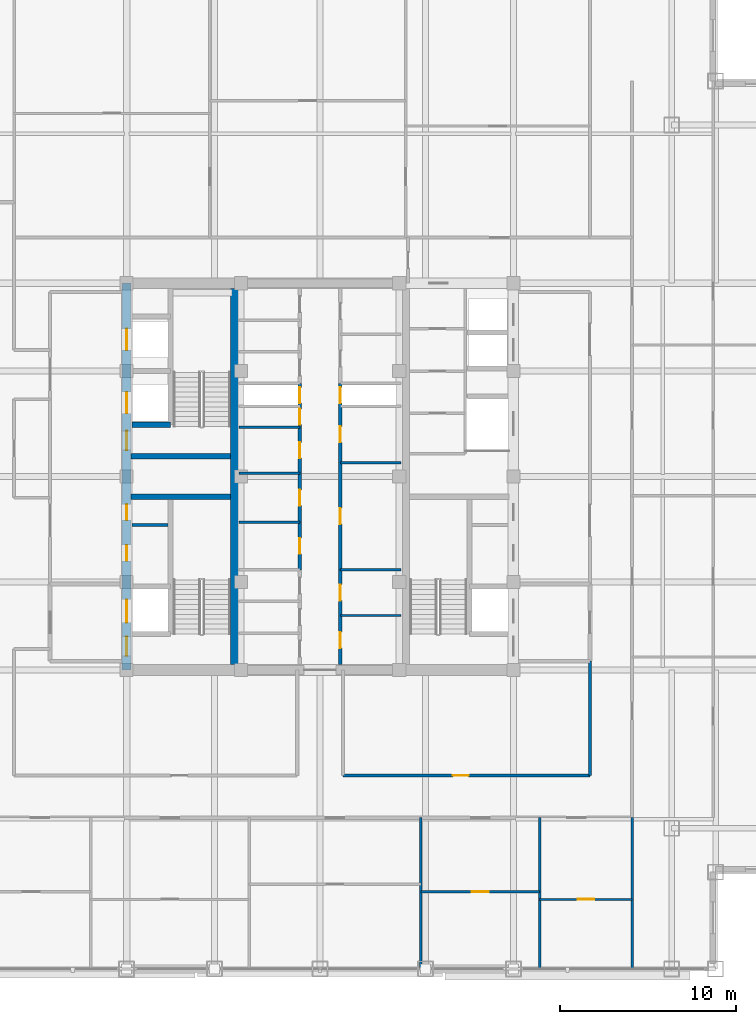
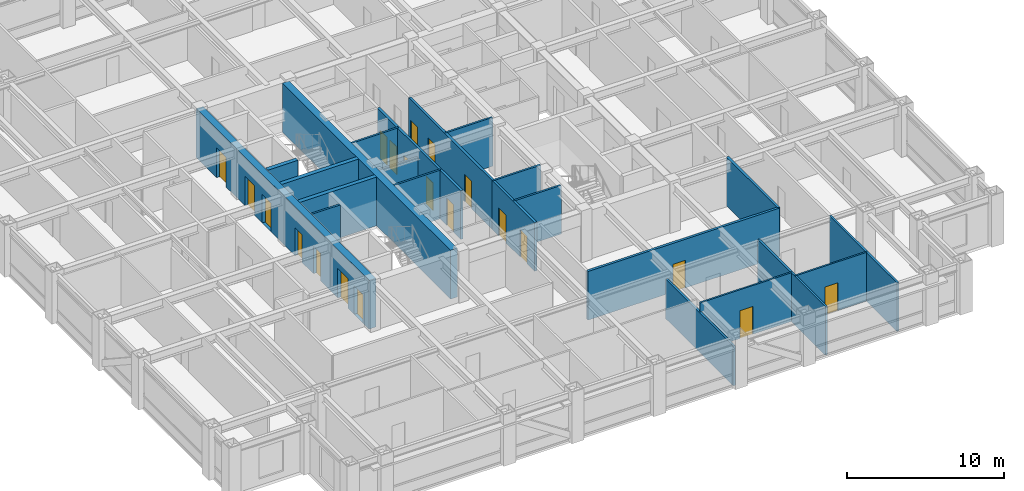
# One storey, part 19 of 27: 22 walls, 20 doors, 20 openings.
"""IFC4 building model written with IfcOpenShell, lengths in metres."""

from ifc_helpers import new_model, si_unit, direction, frame, frame_2d, origin, place, context, subcontext, project, spatial, rectangle, extrude, source, transform, mapped, material, layer, layer_set, type_object, element, fill, save


model = new_model("IFC4")

# Units and contexts
model_context = context("Model", 3, precision=1e-05, world=origin(), true_north=direction((0.0, 1.0)))
body_context = subcontext(model_context, "Body", "Model", "MODEL_VIEW")
ifc_project = project(units=[si_unit("LENGTHUNIT", "METRE"), si_unit("AREAUNIT", "SQUARE_METRE"), si_unit("VOLUMEUNIT", "CUBIC_METRE"), si_unit("PLANEANGLEUNIT", "RADIAN"), si_unit("MASSUNIT", "GRAM", prefix="KILO")], contexts=[model_context])

# Site, building, storey
site_placement = place(None, origin())
site = spatial("IfcSite", under=ifc_project, at=site_placement, CompositionType="ELEMENT")
building_placement = place(site_placement, origin())
building = spatial("IfcBuilding", under=site, at=building_placement, Name="Khorayat Bourse Tower", CompositionType="ELEMENT")
storey_placement = place(building_placement, frame((0.0, 0.0, 285.5)))
storey = spatial("IfcBuildingStorey", under=building, at=storey_placement, Name="L67", CompositionType="ELEMENT", Elevation=285.5)

# Wall, openings, doors
ifc_material_1 = material(Name="Concrete C52/65", Category="concrete")
ifc_layer_1 = layer(ifc_material_1, 0.5)
ifc_layer_set_1 = layer_set([ifc_layer_1], Name="Concrete C52/65")
wall_type_1 = type_object("IfcWallType", Name="WAL-CORE-500", PredefinedType="SHEAR", material=ifc_layer_set_1)
shared_shape_1 = source(origin(), body_context, "Body", "SweptSolid", [
    extrude(rectangle(XDim=22.0, YDim=0.5, at=frame_2d((11.0, 0.0))), origin(), (0.0, 0.0, 1.0), 3.780029296875),
])
wall_1_placement = place(storey_placement, frame((-11.0, -11.0, 0.0), z_axis=(0.0, 0.0, 1.0), x_axis=(0.0, 1.0, 0.0)))
wall_1 = element("IfcWall", 1, at=wall_1_placement, inside=storey, type_object=wall_type_1, Name="L67 Core Shear Wall CORE-W", PredefinedType="SHEAR", context=body_context, shape_type="MappedRepresentation", body=[
    mapped(shared_shape_1, transform((0.0, 0.0, 0.0), scale=1.0)),
])
shared_shape_2 = source(origin(), body_context, "Body", "SweptSolid", [
    extrude(rectangle(XDim=1.10009765625, YDim=2.199951171875, at=frame_2d((0.550048828125, 1.10009765625))), frame((0.0, 0.260009765625, 0.0), z_axis=(0.0, -1.0, 0.0), x_axis=(1.0, 0.0, 0.0)), (0.0, 0.0, 1.0), 0.52001953125),
])
opening_1_placement = place(wall_1_placement, frame((0.800048828125, 0.0, 0.0)))
opening_1 = element("IfcOpeningElement", 2, at=opening_1_placement, cuts=wall_1, Name="Opening DI-01", PredefinedType="OPENING", context=body_context, shape_type="MappedRepresentation", body=[
    mapped(shared_shape_2, transform((0.0, 0.0, 0.0), scale=1.0)),
])
opening_2_placement = place(wall_1_placement, frame((12.5, 0.0, 0.0)))
opening_2 = element("IfcOpeningElement", 3, at=opening_2_placement, cuts=wall_1, Name="Opening DI-01", PredefinedType="OPENING", context=body_context, shape_type="MappedRepresentation", body=[
    mapped(shared_shape_2, transform((0.0, 0.0, 0.0), scale=1.0)),
])
shared_shape_3 = source(origin(), body_context, "Body", "SweptSolid", [
    extrude(rectangle(XDim=0.89990234375, YDim=2.14990234375, at=frame_2d((0.449951171875, 1.074951171875))), frame((0.0, 0.260009765625, 0.0), z_axis=(0.0, -1.0, 0.0), x_axis=(1.0, 0.0, 0.0)), (0.0, 0.0, 1.0), 0.52001953125),
])
opening_3_placement = place(wall_1_placement, frame((6.199951171875, 0.0, 0.0)))
opening_3 = element("IfcOpeningElement", 4, at=opening_3_placement, cuts=wall_1, Name="Opening DI-06", PredefinedType="OPENING", context=body_context, shape_type="MappedRepresentation", body=[
    mapped(shared_shape_3, transform((0.0, 0.0, 0.0), scale=1.0)),
])
opening_4_placement = place(wall_1_placement, frame((8.52490234375, 0.0, 0.0)))
opening_4 = element("IfcOpeningElement", 5, at=opening_4_placement, cuts=wall_1, Name="Opening DI-06", PredefinedType="OPENING", context=body_context, shape_type="MappedRepresentation", body=[
    mapped(shared_shape_3, transform((0.0, 0.0, 0.0), scale=1.0)),
])
shared_shape_4 = source(origin(), body_context, "Body", "SweptSolid", [
    extrude(rectangle(XDim=1.199951171875, YDim=2.300048828125, at=frame_2d((0.60009765625, 1.14990234375))), frame((0.0, 0.260009765625, 0.0), z_axis=(0.0, -1.0, 0.0), x_axis=(1.0, 0.0, 0.0)), (0.0, 0.0, 1.0), 0.52001953125),
])
opening_5_placement = place(wall_1_placement, frame((14.60009765625, 0.0, 0.0)))
opening_5 = element("IfcOpeningElement", 6, at=opening_5_placement, cuts=wall_1, Name="Opening LD-01", PredefinedType="OPENING", context=body_context, shape_type="MappedRepresentation", body=[
    mapped(shared_shape_4, transform((0.0, 0.0, 0.0), scale=1.0)),
])
opening_6_placement = place(wall_1_placement, frame((18.199951171875, 0.0, 0.0)))
opening_6 = element("IfcOpeningElement", 7, at=opening_6_placement, cuts=wall_1, Name="Opening LD-01", PredefinedType="OPENING", context=body_context, shape_type="MappedRepresentation", body=[
    mapped(shared_shape_4, transform((0.0, 0.0, 0.0), scale=1.0)),
])
shared_shape_5 = source(origin(), body_context, "Body", "SweptSolid", [
    extrude(rectangle(XDim=1.300048828125, YDim=2.300048828125, at=frame_2d((0.64990234375, 1.14990234375))), frame((0.0, 0.260009765625, 0.0), z_axis=(0.0, -1.0, 0.0), x_axis=(1.0, 0.0, 0.0)), (0.0, 0.0, 1.0), 0.52001953125),
])
opening_7_placement = place(wall_1_placement, frame((2.699951171875, 0.0, 0.0)))
opening_7 = element("IfcOpeningElement", 8, at=opening_7_placement, cuts=wall_1, Name="Opening LD-02", PredefinedType="OPENING", context=body_context, shape_type="MappedRepresentation", body=[
    mapped(shared_shape_5, transform((0.0, 0.0, 0.0), scale=1.0)),
])
ifc_material_2 = material(Name="Fire-rated steel acoustic leaf", Category="steel")
door_type_1 = type_object("IfcDoorType", Name="DR-INT-STAIR-1100", OperationType="NOTDEFINED", PredefinedType="DOOR", material=ifc_material_2)
shared_shape_6 = source(origin(), body_context, "Body", "SweptSolid", [
    extrude(rectangle(XDim=1.10009765625, YDim=2.199951171875, at=frame_2d((0.550048828125, 1.10009765625))), frame((0.0, 0.02490234375, 0.0), z_axis=(0.0, -1.0, 0.0), x_axis=(1.0, 0.0, 0.0)), (0.0, 0.0, 1.0), 0.050048828125),
])
door_1_placement = place(opening_1_placement, origin())
door_1 = element("IfcDoor", 9, at=door_1_placement, inside=storey, type_object=door_type_1, Name="L67 Exit Stair 1 Door", OperationType="SINGLE_SWING_RIGHT", OverallHeight=2.199951171875, OverallWidth=1.10009765625, PredefinedType="DOOR", context=body_context, shape_type="MappedRepresentation", body=[
    mapped(shared_shape_6, transform((0.0, 0.0, 0.0), scale=1.0)),
])
fill(opening_1, door_1)
door_2_placement = place(opening_2_placement, origin())
door_2 = element("IfcDoor", 10, at=door_2_placement, inside=storey, type_object=door_type_1, Name="L67 Exit Stair 2 Door", OperationType="SINGLE_SWING_RIGHT", OverallHeight=2.199951171875, OverallWidth=1.10009765625, PredefinedType="DOOR", context=body_context, shape_type="MappedRepresentation", body=[
    mapped(shared_shape_6, transform((0.0, 0.0, 0.0), scale=1.0)),
])
fill(opening_2, door_2)
ifc_material_3 = material(Name="Moisture-resistant laminate washroom door")
door_type_2 = type_object("IfcDoorType", Name="DR-INT-WC-900", OperationType="NOTDEFINED", PredefinedType="DOOR", material=ifc_material_3)
shared_shape_7 = source(origin(), body_context, "Body", "SweptSolid", [
    extrude(rectangle(XDim=0.89990234375, YDim=2.14990234375, at=frame_2d((0.449951171875, 1.074951171875))), frame((0.0, 0.02490234375, 0.0), z_axis=(0.0, -1.0, 0.0), x_axis=(1.0, 0.0, 0.0)), (0.0, 0.0, 1.0), 0.050048828125),
])
door_3_placement = place(opening_3_placement, origin())
door_3 = element("IfcDoor", 11, at=door_3_placement, inside=storey, type_object=door_type_2, Name="L67 Switch Closet Door", OperationType="SINGLE_SWING_RIGHT", OverallHeight=2.14990234375, OverallWidth=0.89990234375, PredefinedType="DOOR", context=body_context, shape_type="MappedRepresentation", body=[
    mapped(shared_shape_7, transform((0.0, 0.0, 0.0), scale=1.0)),
])
fill(opening_3, door_3)
door_4_placement = place(opening_4_placement, origin())
door_4 = element("IfcDoor", 12, at=door_4_placement, inside=storey, type_object=door_type_2, Name="L67 Janitor Store Door", OperationType="SINGLE_SWING_LEFT", OverallHeight=2.14990234375, OverallWidth=0.89990234375, PredefinedType="DOOR", context=body_context, shape_type="MappedRepresentation", body=[
    mapped(shared_shape_7, transform((0.0, 0.0, 0.0), scale=1.0)),
])
fill(opening_4, door_4)
ifc_material_4 = material(Name="Brushed bronze stainless-steel sliding door", Category="steel")
door_type_3 = type_object("IfcDoorType", Name="DR-LIFT-PASS-1200", OperationType="NOTDEFINED", PredefinedType="DOOR", material=ifc_material_4)
shared_shape_8 = source(origin(), body_context, "Body", "SweptSolid", [
    extrude(rectangle(XDim=1.199951171875, YDim=2.300048828125, at=frame_2d((0.60009765625, 1.14990234375))), frame((0.0, 0.02490234375, 0.0), z_axis=(0.0, -1.0, 0.0), x_axis=(1.0, 0.0, 0.0)), (0.0, 0.0, 1.0), 0.050048828125),
])
door_5_placement = place(opening_5_placement, origin())
door_5 = element("IfcDoor", 13, at=door_5_placement, inside=storey, type_object=door_type_3, Name="L67 Lift PL-H1 Sliding Landing Door", OperationType="SLIDING_TO_LEFT", OverallHeight=2.300048828125, OverallWidth=1.199951171875, PredefinedType="DOOR", context=body_context, shape_type="MappedRepresentation", body=[
    mapped(shared_shape_8, transform((0.0, 0.0, 0.0), scale=1.0)),
])
fill(opening_5, door_5)
door_6_placement = place(opening_6_placement, origin())
door_6 = element("IfcDoor", 14, at=door_6_placement, inside=storey, type_object=door_type_3, Name="L67 Lift PL-H2 Sliding Landing Door", OperationType="SLIDING_TO_LEFT", OverallHeight=2.300048828125, OverallWidth=1.199951171875, PredefinedType="DOOR", context=body_context, shape_type="MappedRepresentation", body=[
    mapped(shared_shape_8, transform((0.0, 0.0, 0.0), scale=1.0)),
])
fill(opening_6, door_6)
ifc_material_5 = material(Name="Fire-rated stainless-steel sliding landing door", Category="steel")
door_type_4 = type_object("IfcDoorType", Name="DR-LIFT-FF-1300", OperationType="NOTDEFINED", PredefinedType="DOOR", material=ifc_material_5)
shared_shape_9 = source(origin(), body_context, "Body", "SweptSolid", [
    extrude(rectangle(XDim=1.300048828125, YDim=2.300048828125, at=frame_2d((0.64990234375, 1.14990234375))), frame((0.0, 0.02490234375, 0.0), z_axis=(0.0, -1.0, 0.0), x_axis=(1.0, 0.0, 0.0)), (0.0, 0.0, 1.0), 0.050048828125),
])
door_7_placement = place(opening_7_placement, origin())
door_7 = element("IfcDoor", 15, at=door_7_placement, inside=storey, type_object=door_type_4, Name="L67 Lift FFL-01 Sliding Landing Door", OperationType="SLIDING_TO_LEFT", OverallHeight=2.300048828125, OverallWidth=1.300048828125, PredefinedType="DOOR", context=body_context, shape_type="MappedRepresentation", body=[
    mapped(shared_shape_9, transform((0.0, 0.0, 0.0), scale=1.0)),
])
fill(opening_7, door_7)

# Walls
shared_shape_10 = source(origin(), body_context, "Body", "SweptSolid", [
    extrude(rectangle(XDim=21.39990234375, YDim=0.5, at=frame_2d((10.699951171875, 0.0))), origin(), (0.0, 0.0, 1.0), 3.780029296875),
])
wall_2_placement = place(storey_placement, frame((-4.85009765625, -10.699951171875, 0.0), z_axis=(0.0, 0.0, 1.0), x_axis=(0.0, 1.0, 0.0)))
element("IfcWall", 16, at=wall_2_placement, inside=storey, type_object=wall_type_1, Name="L67 Core Shear Wall PIER-W", PredefinedType="SHEAR", context=body_context, shape_type="MappedRepresentation", body=[
    mapped(shared_shape_10, transform((0.0, 0.0, 0.0), scale=1.0)),
])
ifc_material_6 = material(Name="Concrete C50/60", Category="concrete")
ifc_layer_2 = layer(ifc_material_6, 0.300048828125)
ifc_layer_set_2 = layer_set([ifc_layer_2], Name="Concrete C50/60")
wall_type_2 = type_object("IfcWallType", Name="WAL-SHAFT-300", PredefinedType="SHEAR", material=ifc_layer_set_2)
shared_shape_11 = source(origin(), body_context, "Body", "SweptSolid", [
    extrude(rectangle(XDim=5.64990234375, YDim=0.300048828125, at=frame_2d((2.824951171875, 0.0))), origin(), (0.0, 0.0, 1.0), 3.780029296875),
])
for number, where, z_axis, x_axis, name in (
    (17, (-10.75, -1.14990234375, 0.0), (0.0, 0.0, 1.0), (1.0, 0.0, 0.0), "L67 Core Shear Wall ST1-DIV"),
    (18, (-10.75, 1.14990234375, 0.0), (0.0, 0.0, 1.0), (1.0, 0.0, 0.0), "L67 Core Shear Wall ST2-DIV"),
):
    element("IfcWall", number, at=place(storey_placement, frame(where, z_axis=z_axis, x_axis=x_axis)), inside=storey, type_object=wall_type_2, Name=name, PredefinedType="SHEAR", context=body_context, shape_type="MappedRepresentation", body=[
        mapped(shared_shape_11, transform((0.0, 0.0, 0.0), scale=1.0)),
    ])
ifc_material_7 = material(Name="Moisture-resistant masonry partition", Category="masonry")
ifc_layer_3 = layer(ifc_material_7, 0.139892578125)
ifc_layer_set_3 = layer_set([ifc_layer_3], Name="Moisture-resistant masonry partition")
wall_type_3 = type_object("IfcWallType", Name="WAL-PART-WET-140", PredefinedType="PARTITIONING", material=ifc_layer_set_3)
shared_shape_12 = source(origin(), body_context, "Body", "SweptSolid", [
    extrude(rectangle(XDim=3.4501953125, YDim=0.139892578125, at=frame_2d((1.72509765625, 0.0))), origin(), (0.0, 0.0, 1.0), 3.0849609375),
])
wall_3_placement = place(storey_placement, frame((-4.60009765625, 0.199951171875, 0.0), z_axis=(0.0, 0.0, 1.0), x_axis=(1.0, 0.0, 0.0)))
element("IfcWall", 19, at=wall_3_placement, inside=storey, type_object=wall_type_3, Name="L67 Partition WAL-L67-CMW-D2", PredefinedType="PARTITIONING", context=body_context, shape_type="MappedRepresentation", body=[
    mapped(shared_shape_12, transform((0.0, 0.0, 0.0), scale=1.0)),
])
shared_shape_13 = source(origin(), body_context, "Body", "SweptSolid", [
    extrude(rectangle(XDim=2.199951171875, YDim=0.300048828125, at=frame_2d((1.10009765625, 0.0))), origin(), (0.0, 0.0, 1.0), 3.780029296875),
])
wall_4_placement = place(storey_placement, frame((-10.699951171875, 2.949951171875, 0.0), z_axis=(0.0, 0.0, 1.0), x_axis=(1.0, 0.0, 0.0)))
element("IfcWall", 20, at=wall_4_placement, inside=storey, type_object=wall_type_2, Name="L67 Partition WAL-L67-WPIER-H1S", PredefinedType="SHEAR", context=body_context, shape_type="MappedRepresentation", body=[
    mapped(shared_shape_13, transform((0.0, 0.0, 0.0), scale=1.0)),
])
ifc_material_8 = material(Name="Gypsum plasterboard twin-frame partition")
ifc_layer_4 = layer(ifc_material_8, 0.14990234375)
ifc_layer_set_4 = layer_set([ifc_layer_4], Name="Gypsum plasterboard twin-frame partition")
wall_type_4 = type_object("IfcWallType", Name="WAL-PART-SUITE-150", PredefinedType="PARTITIONING", material=ifc_layer_set_4)
shared_shape_14 = source(origin(), body_context, "Body", "SweptSolid", [
    extrude(rectangle(XDim=2.050048828125, YDim=0.14990234375, at=frame_2d((1.02490234375, 0.0))), origin(), (0.0, 0.0, 1.0), 3.780029296875),
])
wall_5_placement = place(storey_placement, frame((-10.699951171875, -2.75, 0.0), z_axis=(0.0, 0.0, 1.0), x_axis=(1.0, 0.0, 0.0)))
element("IfcWall", 21, at=wall_5_placement, inside=storey, type_object=wall_type_4, Name="L67 Partition WAL-L67-WSRV-D1", PredefinedType="PARTITIONING", context=body_context, shape_type="MappedRepresentation", body=[
    mapped(shared_shape_14, transform((0.0, 0.0, 0.0), scale=1.0)),
])
shared_shape_15 = source(origin(), body_context, "Body", "SweptSolid", [
    extrude(rectangle(XDim=3.4501953125, YDim=0.14990234375, at=frame_2d((1.72509765625, 0.0))), origin(), (0.0, 0.0, 1.0), 3.780029296875),
])
wall_6_placement = place(storey_placement, frame((1.14990234375, -5.300048828125, 0.0), z_axis=(0.0, 0.0, 1.0), x_axis=(1.0, 0.0, 0.0)))
element("IfcWall", 22, at=wall_6_placement, inside=storey, type_object=wall_type_4, Name="L67 Partition WAL-L67-FB1-NE", PredefinedType="PARTITIONING", context=body_context, shape_type="MappedRepresentation", body=[
    mapped(shared_shape_15, transform((0.0, 0.0, 0.0), scale=1.0)),
])

# Wall, openings, doors
ifc_material_9 = material(Name="Gypsum plasterboard acoustic stud wall")
ifc_layer_5 = layer(ifc_material_9, 0.179931640625)
ifc_layer_set_5 = layer_set([ifc_layer_5], Name="Gypsum plasterboard acoustic stud wall")
wall_type_5 = type_object("IfcWallType", Name="WAL-PART-CORR-180", PredefinedType="PARTITIONING", material=ifc_layer_set_5)
shared_shape_16 = source(origin(), body_context, "Body", "SweptSolid", [
    extrude(rectangle(XDim=5.39990234375, YDim=0.179931640625, at=frame_2d((2.699951171875, 0.0))), origin(), (0.0, 0.0, 1.0), 3.780029296875),
])
wall_7_placement = place(storey_placement, frame((1.14990234375, -10.699951171875, 0.0), z_axis=(0.0, 0.0, 1.0), x_axis=(0.0, 1.0, 0.0)))
wall_7 = element("IfcWall", 23, at=wall_7_placement, inside=storey, type_object=wall_type_5, Name="L67 Partition WAL-L67-FB1E-L", PredefinedType="PARTITIONING", context=body_context, shape_type="MappedRepresentation", body=[
    mapped(shared_shape_16, transform((0.0, 0.0, 0.0), scale=1.0)),
])
shared_shape_17 = source(origin(), body_context, "Body", "SweptSolid", [
    extrude(rectangle(XDim=0.89990234375, YDim=2.14990234375, at=frame_2d((0.449951171875, 1.074951171875))), frame((0.0, 0.099853515625, 0.0), z_axis=(0.0, -1.0, 0.0), x_axis=(1.0, 0.0, 0.0)), (0.0, 0.0, 1.0), 0.199951171875),
])
opening_8_placement = place(wall_7_placement, frame((0.949951171875, 0.0, 0.0)))
opening_8 = element("IfcOpeningElement", 24, at=opening_8_placement, cuts=wall_7, Name="Opening DI-06", PredefinedType="OPENING", context=body_context, shape_type="MappedRepresentation", body=[
    mapped(shared_shape_17, transform((0.0, 0.0, 0.0), scale=1.0)),
])
opening_9_placement = place(wall_7_placement, frame((3.64990234375, 0.0, 0.0)))
opening_9 = element("IfcOpeningElement", 25, at=opening_9_placement, cuts=wall_7, Name="Opening DI-06", PredefinedType="OPENING", context=body_context, shape_type="MappedRepresentation", body=[
    mapped(shared_shape_17, transform((0.0, 0.0, 0.0), scale=1.0)),
])
door_8_placement = place(opening_8_placement, origin())
door_8 = element("IfcDoor", 26, at=door_8_placement, inside=storey, type_object=door_type_2, Name="L67 UPS Switch Plant Room Door", OperationType="SINGLE_SWING_RIGHT", OverallHeight=2.14990234375, OverallWidth=0.89990234375, PredefinedType="DOOR", context=body_context, shape_type="MappedRepresentation", body=[
    mapped(shared_shape_7, transform((0.0, 0.0, 0.0), scale=1.0)),
])
fill(opening_8, door_8)
door_9_placement = place(opening_9_placement, origin())
door_9 = element("IfcDoor", 27, at=door_9_placement, inside=storey, type_object=door_type_2, Name="L67 Reprographics Store Door", OperationType="SINGLE_SWING_LEFT", OverallHeight=2.14990234375, OverallWidth=0.89990234375, PredefinedType="DOOR", context=body_context, shape_type="MappedRepresentation", body=[
    mapped(shared_shape_7, transform((0.0, 0.0, 0.0), scale=1.0)),
])
fill(opening_9, door_9)

# Walls
shared_shape_18 = source(origin(), body_context, "Body", "SweptSolid", [
    extrude(rectangle(XDim=3.4501953125, YDim=0.139892578125, at=frame_2d((1.72509765625, 0.0))), origin(), (0.0, 0.0, 1.0), 3.780029296875),
])
for number, where, z_axis, x_axis, name in (
    (28, (1.14990234375, -7.89990234375, 0.0), (0.0, 0.0, 1.0), (1.0, 0.0, 0.0), "L67 Partition WAL-L67-FB1E-D1"),
    (29, (-4.60009765625, -2.60009765625, 0.0), (0.0, 0.0, 1.0), (1.0, 0.0, 0.0), "L67 Partition WAL-L67-CMW-D1"),
    (30, (-4.60009765625, 2.800048828125, 0.0), (0.0, 0.0, 1.0), (1.0, 0.0, 0.0), "L67 Partition WAL-L67-CMW-D3"),
    (31, (1.14990234375, 0.800048828125, 0.0), (0.0, 0.0, 1.0), (1.0, 0.0, 0.0), "L67 Partition WAL-L67-CME-D1"),
):
    element("IfcWall", number, at=place(storey_placement, frame(where, z_axis=z_axis, x_axis=x_axis)), inside=storey, type_object=wall_type_3, Name=name, PredefinedType="PARTITIONING", context=body_context, shape_type="MappedRepresentation", body=[
        mapped(shared_shape_18, transform((0.0, 0.0, 0.0), scale=1.0)),
    ])

# Wall, openings, doors
shared_shape_19 = source(origin(), body_context, "Body", "SweptSolid", [
    extrude(rectangle(XDim=10.60009765625, YDim=0.179931640625, at=frame_2d((5.300048828125, 0.0))), origin(), (0.0, 0.0, 1.0), 3.780029296875),
])
wall_8_placement = place(storey_placement, frame((-1.14990234375, -5.300048828125, 0.0), z_axis=(0.0, 0.0, 1.0), x_axis=(0.0, 1.0, 0.0)))
wall_8 = element("IfcWall", 32, at=wall_8_placement, inside=storey, type_object=wall_type_5, Name="L67 Partition WAL-L67-CMW-L", PredefinedType="PARTITIONING", context=body_context, shape_type="MappedRepresentation", body=[
    mapped(shared_shape_19, transform((0.0, 0.0, 0.0), scale=1.0)),
])
opening_10_placement = place(wall_8_placement, frame((0.89990234375, 0.0, 0.0)))
opening_10 = element("IfcOpeningElement", 33, at=opening_10_placement, cuts=wall_8, Name="Opening DI-06", PredefinedType="OPENING", context=body_context, shape_type="MappedRepresentation", body=[
    mapped(shared_shape_17, transform((0.0, 0.0, 0.0), scale=1.0)),
])
opening_11_placement = place(wall_8_placement, frame((3.64990234375, 0.0, 0.0)))
opening_11 = element("IfcOpeningElement", 34, at=opening_11_placement, cuts=wall_8, Name="Opening DI-06", PredefinedType="OPENING", context=body_context, shape_type="MappedRepresentation", body=[
    mapped(shared_shape_17, transform((0.0, 0.0, 0.0), scale=1.0)),
])
opening_12_placement = place(wall_8_placement, frame((6.35009765625, 0.0, 0.0)))
opening_12 = element("IfcOpeningElement", 35, at=opening_12_placement, cuts=wall_8, Name="Opening DI-06", PredefinedType="OPENING", context=body_context, shape_type="MappedRepresentation", body=[
    mapped(shared_shape_17, transform((0.0, 0.0, 0.0), scale=1.0)),
])
opening_13_placement = place(wall_8_placement, frame((8.25, 0.0, 0.0)))
opening_13 = element("IfcOpeningElement", 36, at=opening_13_placement, cuts=wall_8, Name="Opening DI-06", PredefinedType="OPENING", context=body_context, shape_type="MappedRepresentation", body=[
    mapped(shared_shape_17, transform((0.0, 0.0, 0.0), scale=1.0)),
])
opening_14_placement = place(wall_8_placement, frame((9.47509765625, 0.0, 0.0)))
opening_14 = element("IfcOpeningElement", 37, at=opening_14_placement, cuts=wall_8, Name="Opening DI-06", PredefinedType="OPENING", context=body_context, shape_type="MappedRepresentation", body=[
    mapped(shared_shape_17, transform((0.0, 0.0, 0.0), scale=1.0)),
])
door_10_placement = place(opening_10_placement, origin())
door_10 = element("IfcDoor", 38, at=door_10_placement, inside=storey, type_object=door_type_2, Name="L67 Cleaners Store Door", OperationType="SINGLE_SWING_RIGHT", OverallHeight=2.14990234375, OverallWidth=0.89990234375, PredefinedType="DOOR", context=body_context, shape_type="MappedRepresentation", body=[
    mapped(shared_shape_7, transform((0.0, 0.0, 0.0), scale=1.0)),
])
fill(opening_10, door_10)
door_11_placement = place(opening_11_placement, origin())
door_11 = element("IfcDoor", 39, at=door_11_placement, inside=storey, type_object=door_type_2, Name="L67 Male Core Washroom Door", OperationType="SINGLE_SWING_LEFT", OverallHeight=2.14990234375, OverallWidth=0.89990234375, PredefinedType="DOOR", context=body_context, shape_type="MappedRepresentation", body=[
    mapped(shared_shape_7, transform((0.0, 0.0, 0.0), scale=1.0)),
])
fill(opening_11, door_11)
door_12_placement = place(opening_12_placement, origin())
door_12 = element("IfcDoor", 40, at=door_12_placement, inside=storey, type_object=door_type_2, Name="L67 Electrical Closet Door", OperationType="SINGLE_SWING_RIGHT", OverallHeight=2.14990234375, OverallWidth=0.89990234375, PredefinedType="DOOR", context=body_context, shape_type="MappedRepresentation", body=[
    mapped(shared_shape_7, transform((0.0, 0.0, 0.0), scale=1.0)),
])
fill(opening_12, door_12)
door_13_placement = place(opening_13_placement, origin())
door_13 = element("IfcDoor", 41, at=door_13_placement, inside=storey, type_object=door_type_2, Name="L67 Archive Cupboard Door", OperationType="SINGLE_SWING_LEFT", OverallHeight=2.14990234375, OverallWidth=0.89990234375, PredefinedType="DOOR", context=body_context, shape_type="MappedRepresentation", body=[
    mapped(shared_shape_7, transform((0.0, 0.0, 0.0), scale=1.0)),
])
fill(opening_13, door_13)
door_14_placement = place(opening_14_placement, origin())
door_14 = element("IfcDoor", 42, at=door_14_placement, inside=storey, type_object=door_type_2, Name="L67 West Core Riser Door", OperationType="SINGLE_SWING_LEFT", OverallHeight=2.14990234375, OverallWidth=0.89990234375, PredefinedType="DOOR", context=body_context, shape_type="MappedRepresentation", body=[
    mapped(shared_shape_7, transform((0.0, 0.0, 0.0), scale=1.0)),
])
fill(opening_14, door_14)

wall_9_placement = place(storey_placement, frame((1.14990234375, -5.300048828125, 0.0), z_axis=(0.0, 0.0, 1.0), x_axis=(0.0, 1.0, 0.0)))
wall_9 = element("IfcWall", 43, at=wall_9_placement, inside=storey, type_object=wall_type_5, Name="L67 Partition WAL-L67-CME-L", PredefinedType="PARTITIONING", context=body_context, shape_type="MappedRepresentation", body=[
    mapped(shared_shape_19, transform((0.0, 0.0, 0.0), scale=1.0)),
])
opening_15_placement = place(wall_9_placement, frame((2.60009765625, 0.0, 0.0)))
opening_15 = element("IfcOpeningElement", 44, at=opening_15_placement, cuts=wall_9, Name="Opening DI-06", PredefinedType="OPENING", context=body_context, shape_type="MappedRepresentation", body=[
    mapped(shared_shape_17, transform((0.0, 0.0, 0.0), scale=1.0)),
])
opening_16_placement = place(wall_9_placement, frame((7.25, 0.0, 0.0)))
opening_16 = element("IfcOpeningElement", 45, at=opening_16_placement, cuts=wall_9, Name="Opening DI-06", PredefinedType="OPENING", context=body_context, shape_type="MappedRepresentation", body=[
    mapped(shared_shape_17, transform((0.0, 0.0, 0.0), scale=1.0)),
])
opening_17_placement = place(wall_9_placement, frame((9.47509765625, 0.0, 0.0)))
opening_17 = element("IfcOpeningElement", 46, at=opening_17_placement, cuts=wall_9, Name="Opening DI-06", PredefinedType="OPENING", context=body_context, shape_type="MappedRepresentation", body=[
    mapped(shared_shape_17, transform((0.0, 0.0, 0.0), scale=1.0)),
])
door_15_placement = place(opening_15_placement, origin())
door_15 = element("IfcDoor", 47, at=door_15_placement, inside=storey, type_object=door_type_2, Name="L67 Female Core Washroom Door", OperationType="SINGLE_SWING_RIGHT", OverallHeight=2.14990234375, OverallWidth=0.89990234375, PredefinedType="DOOR", context=body_context, shape_type="MappedRepresentation", body=[
    mapped(shared_shape_7, transform((0.0, 0.0, 0.0), scale=1.0)),
])
fill(opening_15, door_15)
door_16_placement = place(opening_16_placement, origin())
door_16 = element("IfcDoor", 48, at=door_16_placement, inside=storey, type_object=door_type_2, Name="L67 Smoke Extract Fan Plant Room Door", OperationType="SINGLE_SWING_LEFT", OverallHeight=2.14990234375, OverallWidth=0.89990234375, PredefinedType="DOOR", context=body_context, shape_type="MappedRepresentation", body=[
    mapped(shared_shape_7, transform((0.0, 0.0, 0.0), scale=1.0)),
])
fill(opening_16, door_16)
door_17_placement = place(opening_17_placement, origin())
door_17 = element("IfcDoor", 49, at=door_17_placement, inside=storey, type_object=door_type_2, Name="L67 East Core Riser Door", OperationType="SINGLE_SWING_RIGHT", OverallHeight=2.14990234375, OverallWidth=0.89990234375, PredefinedType="DOOR", context=body_context, shape_type="MappedRepresentation", body=[
    mapped(shared_shape_7, transform((0.0, 0.0, 0.0), scale=1.0)),
])
fill(opening_17, door_17)

# Wall
shared_shape_20 = source(origin(), body_context, "Body", "SweptSolid", [
    extrude(rectangle(XDim=6.5, YDim=0.179931640625, at=frame_2d((3.25, 0.0))), origin(), (0.0, 0.0, 1.0), 3.780029296875),
])
wall_10_placement = place(storey_placement, frame((15.35009765625, -17.0, 0.0), z_axis=(0.0, 0.0, 1.0), x_axis=(0.0, 1.0, 0.0)))
element("IfcWall", 50, at=wall_10_placement, inside=storey, type_object=wall_type_5, Name="L67 Partition WAL-L67-PKSE-E", PredefinedType="PARTITIONING", context=body_context, shape_type="MappedRepresentation", body=[
    mapped(shared_shape_20, transform((0.0, 0.0, 0.0), scale=1.0)),
])

# Wall, opening, door
shared_shape_21 = source(origin(), body_context, "Body", "SweptSolid", [
    extrude(rectangle(XDim=14.050048828125, YDim=0.179931640625, at=frame_2d((7.02490234375, 0.0))), origin(), (0.0, 0.0, 1.0), 3.780029296875),
])
wall_11_placement = place(storey_placement, frame((1.300048828125, -17.0, 0.0), z_axis=(0.0, 0.0, 1.0), x_axis=(1.0, 0.0, 0.0)))
wall_11 = element("IfcWall", 51, at=wall_11_placement, inside=storey, type_object=wall_type_5, Name="L67 Partition WAL-L67-PKSE-S", PredefinedType="PARTITIONING", context=body_context, shape_type="MappedRepresentation", body=[
    mapped(shared_shape_21, transform((0.0, 0.0, 0.0), scale=1.0)),
])
opening_18_placement = place(wall_11_placement, frame((6.25, 0.0, 0.0)))
opening_18 = element("IfcOpeningElement", 52, at=opening_18_placement, cuts=wall_11, Name="Opening DI-06", PredefinedType="OPENING", context=body_context, shape_type="MappedRepresentation", body=[
    mapped(shared_shape_17, transform((0.0, 0.0, 0.0), scale=1.0)),
])
door_18_placement = place(opening_18_placement, origin())
door_18 = element("IfcDoor", 53, at=door_18_placement, inside=storey, type_object=door_type_2, Name="L67 SE Inboard Study Door", OperationType="SINGLE_SWING_RIGHT", OverallHeight=2.14990234375, OverallWidth=0.89990234375, PredefinedType="DOOR", context=body_context, shape_type="MappedRepresentation", body=[
    mapped(shared_shape_7, transform((0.0, 0.0, 0.0), scale=1.0)),
])
fill(opening_18, door_18)

ifc_material_10 = material(Name="Gypsum plasterboard partition")
ifc_layer_6 = layer(ifc_material_10, 0.125)
ifc_layer_set_6 = layer_set([ifc_layer_6], Name="Gypsum plasterboard partition")
wall_type_6 = type_object("IfcWallType", Name="WAL-PART-ROOM-125", PredefinedType="PARTITIONING", material=ifc_layer_set_6)
shared_shape_22 = source(origin(), body_context, "Body", "SweptSolid", [
    extrude(rectangle(XDim=6.759033203125, YDim=0.125, at=frame_2d((3.37939453125, 0.0))), origin(), (0.0, 0.0, 1.0), 3.780029296875),
])
wall_12_placement = place(storey_placement, frame((5.73388671875, -23.614013671875, 0.0), z_axis=(0.0, 0.0, 1.0), x_axis=(1.0, 0.0, 0.0)))
wall_12 = element("IfcWall", 54, at=wall_12_placement, inside=storey, type_object=wall_type_6, Name="L67 Partition WAL-L67-SDP-4", PredefinedType="PARTITIONING", context=body_context, shape_type="MappedRepresentation", body=[
    mapped(shared_shape_22, transform((0.0, 0.0, 0.0), scale=1.0)),
])
shared_shape_23 = source(origin(), body_context, "Body", "SweptSolid", [
    extrude(rectangle(XDim=0.949951171875, YDim=2.14990234375, at=frame_2d((0.47509765625, 1.074951171875))), frame((0.0, 0.072509765625, 0.0), z_axis=(0.0, -1.0, 0.0), x_axis=(1.0, 0.0, 0.0)), (0.0, 0.0, 1.0), 0.14501953125),
])
opening_19_placement = place(wall_12_placement, frame((2.904541015625, 0.0, 0.0)))
opening_19 = element("IfcOpeningElement", 55, at=opening_19_placement, cuts=wall_12, Name="Opening DI-05", PredefinedType="OPENING", context=body_context, shape_type="MappedRepresentation", body=[
    mapped(shared_shape_23, transform((0.0, 0.0, 0.0), scale=1.0)),
])
ifc_material_11 = material(Name="Acoustic oak veneer office door")
door_type_5 = type_object("IfcDoorType", Name="DR-INT-OFFICE-950", OperationType="NOTDEFINED", PredefinedType="DOOR", material=ifc_material_11)
shared_shape_24 = source(origin(), body_context, "Body", "SweptSolid", [
    extrude(rectangle(XDim=0.949951171875, YDim=2.14990234375, at=frame_2d((0.47509765625, 1.074951171875))), frame((0.0, 0.02490234375, 0.0), z_axis=(0.0, -1.0, 0.0), x_axis=(1.0, 0.0, 0.0)), (0.0, 0.0, 1.0), 0.050048828125),
])
door_19_placement = place(opening_19_placement, origin())
door_19 = element("IfcDoor", 56, at=door_19_placement, inside=storey, type_object=door_type_5, Name="L67 Staff Tea Pantry S4B Door", OperationType="SINGLE_SWING_LEFT", OverallHeight=2.14990234375, OverallWidth=0.949951171875, PredefinedType="DOOR", context=body_context, shape_type="MappedRepresentation", body=[
    mapped(shared_shape_24, transform((0.0, 0.0, 0.0), scale=1.0)),
])
fill(opening_19, door_19)

# Walls
shared_shape_25 = source(origin(), body_context, "Body", "SweptSolid", [
    extrude(rectangle(XDim=8.60009765625, YDim=0.14990234375, at=frame_2d((4.300048828125, 0.0))), origin(), (0.0, 0.0, 1.0), 3.780029296875),
])
for number, where, z_axis, x_axis, name in (
    (57, (12.492919921875, -28.0, 0.0), (0.0, 0.0, 1.0), (0.0, 1.0, 0.0), "L67 Partition WAL-L67-SDV-4"),
    (58, (17.75, -28.0, 0.0), (0.0, 0.0, 1.0), (0.0, 1.0, 0.0), "L67 Partition WAL-L67-SCE-END"),
):
    element("IfcWall", number, at=place(storey_placement, frame(where, z_axis=z_axis, x_axis=x_axis)), inside=storey, type_object=wall_type_4, Name=name, PredefinedType="PARTITIONING", context=body_context, shape_type="MappedRepresentation", body=[
        mapped(shared_shape_25, transform((0.0, 0.0, 0.0), scale=1.0)),
    ])
shared_shape_26 = source(origin(), body_context, "Body", "SweptSolid", [
    extrude(rectangle(XDim=8.60009765625, YDim=0.14990234375, at=frame_2d((4.300048828125, 0.0))), origin(), (0.0, 0.0, 1.0), 3.0849609375),
])
wall_13_placement = place(storey_placement, frame((5.73388671875, -28.0, 0.0), z_axis=(0.0, 0.0, 1.0), x_axis=(0.0, 1.0, 0.0)))
element("IfcWall", 59, at=wall_13_placement, inside=storey, type_object=wall_type_4, Name="L67 Partition WAL-L67-SDV-3", PredefinedType="PARTITIONING", context=body_context, shape_type="MappedRepresentation", body=[
    mapped(shared_shape_26, transform((0.0, 0.0, 0.0), scale=1.0)),
])

# Wall, opening, door
shared_shape_27 = source(origin(), body_context, "Body", "SweptSolid", [
    extrude(rectangle(XDim=5.257080078125, YDim=0.125, at=frame_2d((2.62841796875, 0.0))), origin(), (0.0, 0.0, 1.0), 3.780029296875),
])
wall_14_placement = place(storey_placement, frame((12.492919921875, -24.0439453125, 0.0), z_axis=(0.0, 0.0, 1.0), x_axis=(1.0, 0.0, 0.0)))
wall_14 = element("IfcWall", 60, at=wall_14_placement, inside=storey, type_object=wall_type_6, Name="L67 Partition WAL-L67-SDP-5", PredefinedType="PARTITIONING", context=body_context, shape_type="MappedRepresentation", body=[
    mapped(shared_shape_27, transform((0.0, 0.0, 0.0), scale=1.0)),
])
opening_20_placement = place(wall_14_placement, frame((2.153564453125, 0.0, 0.0)))
opening_20 = element("IfcOpeningElement", 61, at=opening_20_placement, cuts=wall_14, Name="Opening DI-05", PredefinedType="OPENING", context=body_context, shape_type="MappedRepresentation", body=[
    mapped(shared_shape_23, transform((0.0, 0.0, 0.0), scale=1.0)),
])
door_20_placement = place(opening_20_placement, origin())
door_20 = element("IfcDoor", 62, at=door_20_placement, inside=storey, type_object=door_type_5, Name="L67 Executive Boardroom S5B Door", OperationType="SINGLE_SWING_RIGHT", OverallHeight=2.14990234375, OverallWidth=0.949951171875, PredefinedType="DOOR", context=body_context, shape_type="MappedRepresentation", body=[
    mapped(shared_shape_24, transform((0.0, 0.0, 0.0), scale=1.0)),
])
fill(opening_20, door_20)

save(model, "model.ifc")
